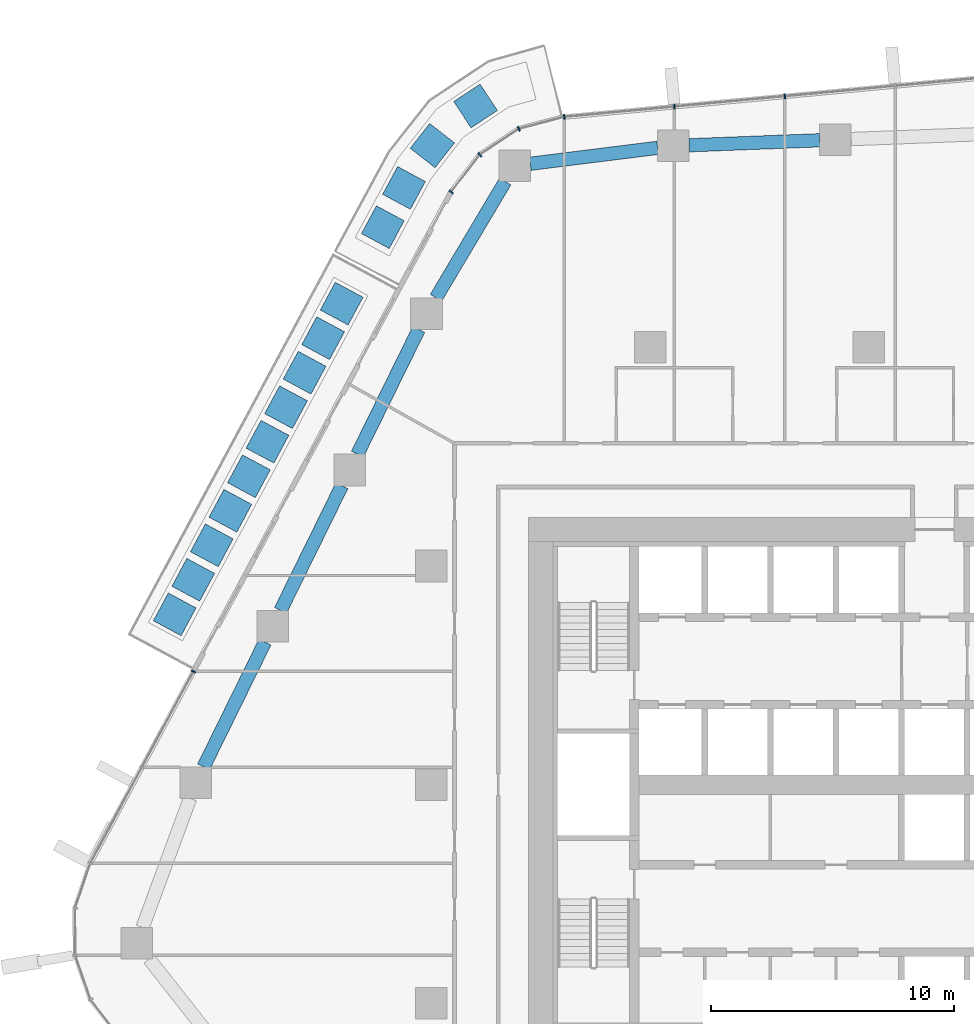
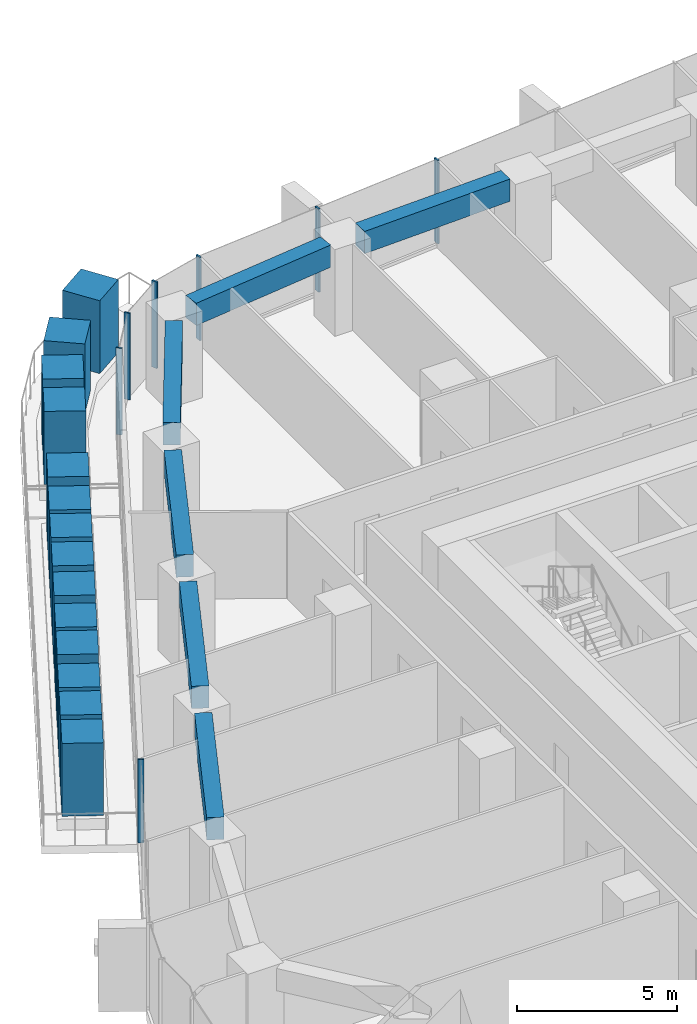
# One storey, part 6 of 24: 21 members, 6 beams, 3 elements without a shape of their own.
"""IFC4 building model written with IfcOpenShell, lengths in metres."""

from ifc_helpers import new_model, si_unit, direction, frame, origin, origin_2d, place, context, subcontext, project, spatial, rectangle, extrude, material, layer, layer_set, material_profile, profile_set, type_object, element, aggregate, save


model = new_model("IFC4")

# Units and contexts
model_context = context("Model", 3, precision=1e-05, world=origin(), true_north=direction((0.0, 1.0)))
body_context = subcontext(model_context, "Body", "Model", "MODEL_VIEW")
ifc_project = project(units=[si_unit("LENGTHUNIT", "METRE"), si_unit("AREAUNIT", "SQUARE_METRE"), si_unit("VOLUMEUNIT", "CUBIC_METRE"), si_unit("PLANEANGLEUNIT", "RADIAN"), si_unit("MASSUNIT", "GRAM", prefix="KILO")], contexts=[model_context])

# Site, building, storey
site_placement = place(None, origin())
site = spatial("IfcSite", under=ifc_project, at=site_placement, CompositionType="ELEMENT")
building_placement = place(site_placement, origin())
building = spatial("IfcBuilding", under=site, at=building_placement, Name="Dongbaek Canopy Tower", CompositionType="ELEMENT")
storey_placement = place(building_placement, frame((0.0, 0.0, 117.39990234375)))
storey = spatial("IfcBuildingStorey", under=building, at=storey_placement, Name="L25", CompositionType="ELEMENT", Elevation=117.39990234375)

# Curtain wall, members
ifc_material_1 = material(Name="Aluminium 6063-T6 pale anodised", Category="aluminium")
ifc_layer = layer(ifc_material_1, 0.199951171875)
ifc_layer_set = layer_set([ifc_layer], Name="CW-1 unitised tower curtain wall")
curtain_wall_type = type_object("IfcCurtainWallType", Name="CW-1 unitised tower curtain wall", PredefinedType="NOTDEFINED", material=ifc_layer_set)
curtain_wall_1_placement = place(storey_placement, origin())
curtain_wall_1 = element("IfcCurtainWall", 1, at=curtain_wall_1_placement, inside=storey, type_object=curtain_wall_type, Name="CW-1 curtain wall F1.1", PredefinedType="NOTDEFINED")
ifc_material_2 = material(Name="Aluminium 6063-T6 pale anodised", Category="aluminium")
ifc_material_profile_1 = material_profile(ifc_material_2, rectangle(XDim=0.199951171875, YDim=0.06005859375, at=origin_2d()), Name="CW-1 mullion 60 x 200")
ifc_profile_set_1 = profile_set([ifc_material_profile_1], Name="Aluminium 6063-T6 pale anodised")
member_type_1 = type_object("IfcMemberType", Name="CW-1 mullion 60 x 200", PredefinedType="MULLION", material=ifc_profile_set_1)
member_1_placement = place(storey_placement, frame((-3.454833984375, 28.332763671875, 0.1201171875), z_axis=(0.0, 0.0, 1.0), x_axis=(-0.093397804951, 0.995628871634, 0.0)))
member_1 = element("IfcMember", 2, at=member_1_placement, type_object=member_type_1, Name="CW-1 mullion F1.1.4", PredefinedType="MULLION", context=body_context, shape_type="SweptSolid", body=[
    extrude(rectangle(XDim=0.199951171875, YDim=0.06005859375, at=origin_2d()), origin(), (0.0, 0.0, 1.0), 3.179931640625),
])
member_2_placement = place(storey_placement, frame((-7.996826171875, 27.90673828125, 0.1201171875), z_axis=(0.0, 0.0, 1.0), x_axis=(-0.093397804951, 0.995628871634, 0.0)))
member_2 = element("IfcMember", 3, at=member_2_placement, type_object=member_type_1, Name="CW-1 mullion F1.1.5", PredefinedType="MULLION", context=body_context, shape_type="SweptSolid", body=[
    extrude(rectangle(XDim=0.199951171875, YDim=0.06005859375, at=origin_2d()), origin(), (0.0, 0.0, 1.0), 3.179931640625),
])
member_3_placement = place(storey_placement, frame((-12.5302734375, 27.4814453125, 0.1201171875), z_axis=(0.0, 0.0, 1.0), x_axis=(-0.093397804951, 0.995628871634, 0.0)))
member_3 = element("IfcMember", 4, at=member_3_placement, type_object=member_type_1, Name="CW-1 mullion F1.1.6", PredefinedType="MULLION", context=body_context, shape_type="SweptSolid", body=[
    extrude(rectangle(XDim=0.199951171875, YDim=0.06005859375, at=origin_2d()), origin(), (0.0, 0.0, 1.0), 3.179931640625),
])
aggregate(curtain_wall_1, [member_1, member_2, member_3])

curtain_wall_2_placement = place(storey_placement, origin())
curtain_wall_2 = element("IfcCurtainWall", 5, at=curtain_wall_2_placement, inside=storey, type_object=curtain_wall_type, Name="CW-1 curtain wall K2.1", PredefinedType="NOTDEFINED")
member_4_placement = place(storey_placement, frame((-14.401123046875, 26.988525390625, 0.0), z_axis=(0.0, 0.0, 1.0), x_axis=(-0.409192831574, 0.912447930892, 0.0)))
member_4 = element("IfcMember", 6, at=member_4_placement, type_object=member_type_1, Name="CW-1 mullion K2.1.2", PredefinedType="MULLION", context=body_context, shape_type="SweptSolid", body=[
    extrude(rectangle(XDim=0.199951171875, YDim=0.06005859375, at=origin_2d()), origin(), (0.0, 0.0, 1.0), 3.300048828125),
])
member_5_placement = place(storey_placement, frame((-16.006591796875, 25.924072265625, 0.0), z_axis=(0.0, 0.0, 1.0), x_axis=(-0.681349256358, 0.731958462524, 0.0)))
member_5 = element("IfcMember", 7, at=member_5_placement, type_object=member_type_1, Name="CW-1 mullion K2.1.3", PredefinedType="MULLION", context=body_context, shape_type="SweptSolid", body=[
    extrude(rectangle(XDim=0.199951171875, YDim=0.06005859375, at=origin_2d()), origin(), (0.0, 0.0, 1.0), 3.300048828125),
])
member_6_placement = place(storey_placement, frame((-17.1884765625, 24.392333984375, 0.0), z_axis=(0.0, 0.0, 1.0), x_axis=(-0.791721529724, 0.610882164883, 0.0)))
member_6 = element("IfcMember", 8, at=member_6_placement, type_object=member_type_1, Name="CW-1 mullion K2.1.4", PredefinedType="MULLION", context=body_context, shape_type="SweptSolid", body=[
    extrude(rectangle(XDim=0.199951171875, YDim=0.06005859375, at=origin_2d()), origin(), (0.0, 0.0, 1.0), 3.300048828125),
])
aggregate(curtain_wall_2, [member_4, member_5, member_6])

# Curtain wall, member
curtain_wall_3_placement = place(storey_placement, origin())
curtain_wall_3 = element("IfcCurtainWall", 9, at=curtain_wall_3_placement, inside=storey, type_object=curtain_wall_type, Name="CW-1 curtain wall F2.1", PredefinedType="NOTDEFINED")
member_7_placement = place(storey_placement, frame((-27.793701171875, 4.65966796875, 0.1201171875), z_axis=(0.0, 0.0, 1.0), x_axis=(-0.880842802858, 0.473408868372, 0.0)))
member_7 = element("IfcMember", 10, at=member_7_placement, type_object=member_type_1, Name="CW-1 mullion F2.1.1", PredefinedType="MULLION", context=body_context, shape_type="SweptSolid", body=[
    extrude(rectangle(XDim=0.199951171875, YDim=0.06005859375, at=origin_2d()), origin(), (0.0, 0.0, 1.0), 3.179931640625),
])
aggregate(curtain_wall_3, [member_7])

# Beams
ifc_material_3 = material(Name="Concrete C80", Category="concrete")
ifc_material_profile_2 = material_profile(ifc_material_3, rectangle(XDim=0.550048828125, YDim=0.85009765625, at=origin_2d()), Name="RC EDGE BEAM 550x850 C80")
ifc_profile_set_2 = profile_set([ifc_material_profile_2], Name="Concrete C80")
beam_type = type_object("IfcBeamType", Name="RC EDGE BEAM 550x850 C80", PredefinedType="BEAM", material=ifc_profile_set_2)
beam_1_placement = place(storey_placement, frame((-27.373291015625, 0.73291015625, 2.875), z_axis=(0.441213203353, 0.89740231178, 0.0), x_axis=(-0.89740231178, 0.441213203353, 0.0)))
element("IfcBeam", 11, at=beam_1_placement, inside=storey, type_object=beam_type, Name="EDGEBEAM:L25:09", PredefinedType="BEAM", context=body_context, shape_type="SweptSolid", body=[
    extrude(rectangle(XDim=0.550048828125, YDim=0.85009765625, at=origin_2d()), origin(), (0.0, 0.0, 1.0), 5.72216796875),
])
beam_2_placement = place(storey_placement, frame((-24.209228515625, 7.16796875, 2.875), z_axis=(0.441418224378, 0.897301482885, 0.0), x_axis=(-0.897301482885, 0.441418224378, 0.0)))
element("IfcBeam", 12, at=beam_2_placement, inside=storey, type_object=beam_type, Name="EDGEBEAM:L25:10", PredefinedType="BEAM", context=body_context, shape_type="SweptSolid", body=[
    extrude(rectangle(XDim=0.550048828125, YDim=0.85009765625, at=origin_2d()), origin(), (0.0, 0.0, 1.0), 5.7216796875),
])
beam_3_placement = place(storey_placement, frame((-21.044189453125, 13.60205078125, 2.875), z_axis=(0.441383867887, 0.89731838339, 0.0), x_axis=(-0.89731838339, 0.441383867887, 0.0)))
element("IfcBeam", 13, at=beam_3_placement, inside=storey, type_object=beam_type, Name="EDGEBEAM:L25:11", PredefinedType="BEAM", context=body_context, shape_type="SweptSolid", body=[
    extrude(rectangle(XDim=0.550048828125, YDim=0.85009765625, at=origin_2d()), origin(), (0.0, 0.0, 1.0), 5.721435546875),
])
beam_4_placement = place(storey_placement, frame((-17.81201171875, 20.035888671875, 2.875), z_axis=(0.511514682827, 0.859274536602, 0.0), x_axis=(-0.859274536602, 0.511514682827, 0.0)))
element("IfcBeam", 14, at=beam_4_placement, inside=storey, type_object=beam_type, Name="EDGEBEAM:L25:12", PredefinedType="BEAM", context=body_context, shape_type="SweptSolid", body=[
    extrude(rectangle(XDim=0.550048828125, YDim=0.85009765625, at=origin_2d()), origin(), (0.0, 0.0, 1.0), 5.570068359375),
])
beam_5_placement = place(storey_placement, frame((-13.926025390625, 25.55322265625, 2.875), z_axis=(0.992297087152, 0.123880954265, 0.0), x_axis=(-0.123880954265, 0.992297087152, 0.0)))
element("IfcBeam", 15, at=beam_5_placement, inside=storey, type_object=beam_type, Name="EDGEBEAM:L25:13", PredefinedType="BEAM", context=body_context, shape_type="SweptSolid", body=[
    extrude(rectangle(XDim=0.550048828125, YDim=0.85009765625, at=origin_2d()), origin(), (0.0, 0.0, 1.0), 5.275634765625),
])
beam_6_placement = place(storey_placement, frame((-7.39111328125, 26.31298828125, 2.875), z_axis=(0.999264392696, 0.038349361015, 0.0), x_axis=(-0.038349361015, 0.999264392696, 0.0)))
element("IfcBeam", 16, at=beam_6_placement, inside=storey, type_object=beam_type, Name="EDGEBEAM:L25:14", PredefinedType="BEAM", context=body_context, shape_type="SweptSolid", body=[
    extrude(rectangle(XDim=0.550048828125, YDim=0.85009765625, at=origin_2d()), origin(), (0.0, 0.0, 1.0), 5.373046875),
])

# Members
ifc_material_4 = material(Name="Concrete C40/50 planter mass with planting", Category="concrete")
ifc_material_profile_3 = material_profile(ifc_material_4, rectangle(XDim=1.300048828125, YDim=1.300048828125, at=origin_2d()), Name="Terrace PLANTER shrub mass 1300 x 1300")
ifc_profile_set_3 = profile_set([ifc_material_profile_3], Name="Concrete C40/50 planter mass with planting")
member_type_2 = type_object("IfcMemberType", Name="Terrace PLANTER shrub mass 1300 x 1300", PredefinedType="USERDEFINED", material=ifc_profile_set_3)
member_8_placement = place(storey_placement, frame((-21.69091796875, 19.7958984375, 0.420166015625), z_axis=(0.0, 0.0, 1.0), x_axis=(-0.880842802858, 0.473408868372, 0.0)))
element("IfcMember", 17, at=member_8_placement, inside=storey, type_object=member_type_2, Name="Planter shrubs L25 2.1", ObjectType="PLANTER", PredefinedType="USERDEFINED", context=body_context, shape_type="SweptSolid", body=[
    extrude(rectangle(XDim=1.300048828125, YDim=1.300048828125, at=origin_2d()), origin(), (0.0, 0.0, 1.0), 2.780029296875),
])
member_9_placement = place(storey_placement, frame((-22.454345703125, 18.375244140625, 0.420166015625), z_axis=(0.0, 0.0, 1.0), x_axis=(-0.880842802858, 0.473408868372, 0.0)))
element("IfcMember", 18, at=member_9_placement, inside=storey, type_object=member_type_2, Name="Planter shrubs L25 2.2", ObjectType="PLANTER", PredefinedType="USERDEFINED", context=body_context, shape_type="SweptSolid", body=[
    extrude(rectangle(XDim=1.300048828125, YDim=1.300048828125, at=origin_2d()), origin(), (0.0, 0.0, 1.0), 2.64990234375),
])
member_10_placement = place(storey_placement, frame((-23.218017578125, 16.95458984375, 0.420166015625), z_axis=(0.0, 0.0, 1.0), x_axis=(-0.880842802858, 0.473408868372, 0.0)))
element("IfcMember", 19, at=member_10_placement, inside=storey, type_object=member_type_2, Name="Planter shrubs L25 2.3", ObjectType="PLANTER", PredefinedType="USERDEFINED", context=body_context, shape_type="SweptSolid", body=[
    extrude(rectangle(XDim=1.300048828125, YDim=1.300048828125, at=origin_2d()), origin(), (0.0, 0.0, 1.0), 2.72998046875),
])
member_11_placement = place(storey_placement, frame((-23.9814453125, 15.533935546875, 0.420166015625), z_axis=(0.0, 0.0, 1.0), x_axis=(-0.880842802858, 0.473408868372, 0.0)))
element("IfcMember", 20, at=member_11_placement, inside=storey, type_object=member_type_2, Name="Planter shrubs L25 2.4", ObjectType="PLANTER", PredefinedType="USERDEFINED", context=body_context, shape_type="SweptSolid", body=[
    extrude(rectangle(XDim=1.300048828125, YDim=1.300048828125, at=origin_2d()), origin(), (0.0, 0.0, 1.0), 2.780029296875),
])
member_12_placement = place(storey_placement, frame((-24.744873046875, 14.11328125, 0.420166015625), z_axis=(0.0, 0.0, 1.0), x_axis=(-0.880842802858, 0.473408868372, 0.0)))
element("IfcMember", 21, at=member_12_placement, inside=storey, type_object=member_type_2, Name="Planter shrubs L25 2.5", ObjectType="PLANTER", PredefinedType="USERDEFINED", context=body_context, shape_type="SweptSolid", body=[
    extrude(rectangle(XDim=1.300048828125, YDim=1.300048828125, at=origin_2d()), origin(), (0.0, 0.0, 1.0), 2.77001953125),
])
member_13_placement = place(storey_placement, frame((-25.508544921875, 12.692626953125, 0.420166015625), z_axis=(0.0, 0.0, 1.0), x_axis=(-0.880842802858, 0.473408868372, 0.0)))
element("IfcMember", 22, at=member_13_placement, inside=storey, type_object=member_type_2, Name="Planter shrubs L25 2.6", ObjectType="PLANTER", PredefinedType="USERDEFINED", context=body_context, shape_type="SweptSolid", body=[
    extrude(rectangle(XDim=1.300048828125, YDim=1.300048828125, at=origin_2d()), origin(), (0.0, 0.0, 1.0), 2.68994140625),
])
member_14_placement = place(storey_placement, frame((-26.27197265625, 11.27197265625, 0.420166015625), z_axis=(0.0, 0.0, 1.0), x_axis=(-0.880842802858, 0.473408868372, 0.0)))
element("IfcMember", 23, at=member_14_placement, inside=storey, type_object=member_type_2, Name="Planter shrubs L25 2.7", ObjectType="PLANTER", PredefinedType="USERDEFINED", context=body_context, shape_type="SweptSolid", body=[
    extrude(rectangle(XDim=1.300048828125, YDim=1.300048828125, at=origin_2d()), origin(), (0.0, 0.0, 1.0), 2.780029296875),
])
member_15_placement = place(storey_placement, frame((-27.03564453125, 9.851318359375, 0.420166015625), z_axis=(0.0, 0.0, 1.0), x_axis=(-0.880842802858, 0.473408868372, 0.0)))
element("IfcMember", 24, at=member_15_placement, inside=storey, type_object=member_type_2, Name="Planter shrubs L25 2.8", ObjectType="PLANTER", PredefinedType="USERDEFINED", context=body_context, shape_type="SweptSolid", body=[
    extrude(rectangle(XDim=1.300048828125, YDim=1.300048828125, at=origin_2d()), origin(), (0.0, 0.0, 1.0), 2.64990234375),
])
member_16_placement = place(storey_placement, frame((-27.799072265625, 8.4306640625, 0.420166015625), z_axis=(0.0, 0.0, 1.0), x_axis=(-0.880842802858, 0.473408868372, 0.0)))
element("IfcMember", 25, at=member_16_placement, inside=storey, type_object=member_type_2, Name="Planter shrubs L25 2.9", ObjectType="PLANTER", PredefinedType="USERDEFINED", context=body_context, shape_type="SweptSolid", body=[
    extrude(rectangle(XDim=1.300048828125, YDim=1.300048828125, at=origin_2d()), origin(), (0.0, 0.0, 1.0), 2.72998046875),
])
for number, where, z_axis, x_axis, name in (
    (26, (-28.5625, 7.010009765625, 0.420166015625), (0.0, 0.0, 1.0), (-0.880842802858, 0.473408868372, 0.0), "Planter shrubs L25 2.10"),
    (27, (-16.1806640625, 27.92919921875, 0.420166015625), (0.0, 0.0, 1.0), (-0.552688541068, 0.833387890824, 0.0), "Planter shrubs L25 6.1"),
):
    element("IfcMember", number, at=place(storey_placement, frame(where, z_axis=z_axis, x_axis=x_axis)), inside=storey, type_object=member_type_2, Name=name, ObjectType="PLANTER", PredefinedType="USERDEFINED", context=body_context, shape_type="SweptSolid", body=[
        extrude(rectangle(XDim=1.300048828125, YDim=1.300048828125, at=origin_2d()), origin(), (0.0, 0.0, 1.0), 2.780029296875),
    ])
member_17_placement = place(storey_placement, frame((-17.958984375, 26.30078125, 0.420166015625), z_axis=(0.0, 0.0, 1.0), x_axis=(-0.787326145828, 0.616536730532, 0.0)))
element("IfcMember", 28, at=member_17_placement, inside=storey, type_object=member_type_2, Name="Planter shrubs L25 6.2", ObjectType="PLANTER", PredefinedType="USERDEFINED", context=body_context, shape_type="SweptSolid", body=[
    extrude(rectangle(XDim=1.300048828125, YDim=1.300048828125, at=origin_2d()), origin(), (0.0, 0.0, 1.0), 2.64990234375),
])
member_18_placement = place(storey_placement, frame((-19.126220703125, 24.55859375, 0.420166015625), z_axis=(0.0, 0.0, 1.0), x_axis=(-0.880109186009, 0.474771335174, 0.0)))
element("IfcMember", 29, at=member_18_placement, inside=storey, type_object=member_type_2, Name="Planter shrubs L25 6.3", ObjectType="PLANTER", PredefinedType="USERDEFINED", context=body_context, shape_type="SweptSolid", body=[
    extrude(rectangle(XDim=1.300048828125, YDim=1.300048828125, at=origin_2d()), origin(), (0.0, 0.0, 1.0), 2.72998046875),
])
member_19_placement = place(storey_placement, frame((-19.99755859375, 22.943359375, 0.420166015625), z_axis=(0.0, 0.0, 1.0), x_axis=(-0.880109186009, 0.474771335174, 0.0)))
element("IfcMember", 30, at=member_19_placement, inside=storey, type_object=member_type_2, Name="Planter shrubs L25 6.4", ObjectType="PLANTER", PredefinedType="USERDEFINED", context=body_context, shape_type="SweptSolid", body=[
    extrude(rectangle(XDim=1.300048828125, YDim=1.300048828125, at=origin_2d()), origin(), (0.0, 0.0, 1.0), 2.780029296875),
])

save(model, "model.ifc")
